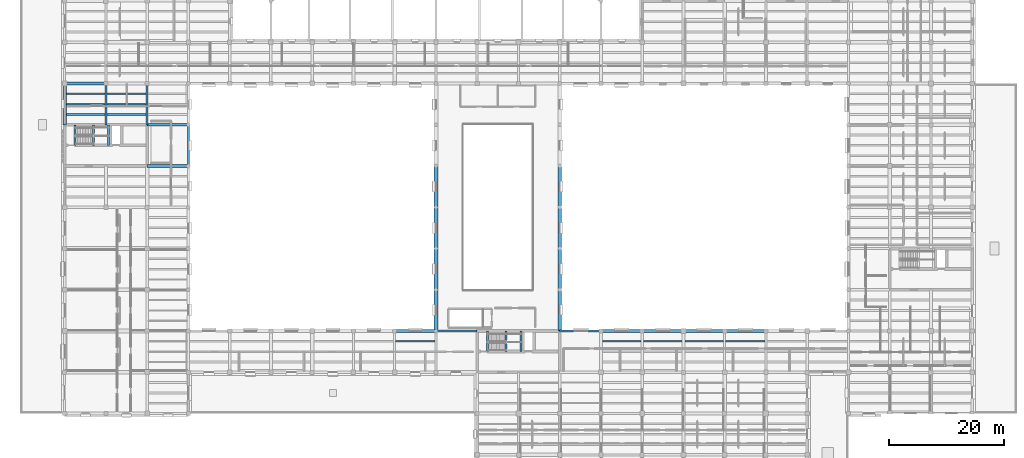
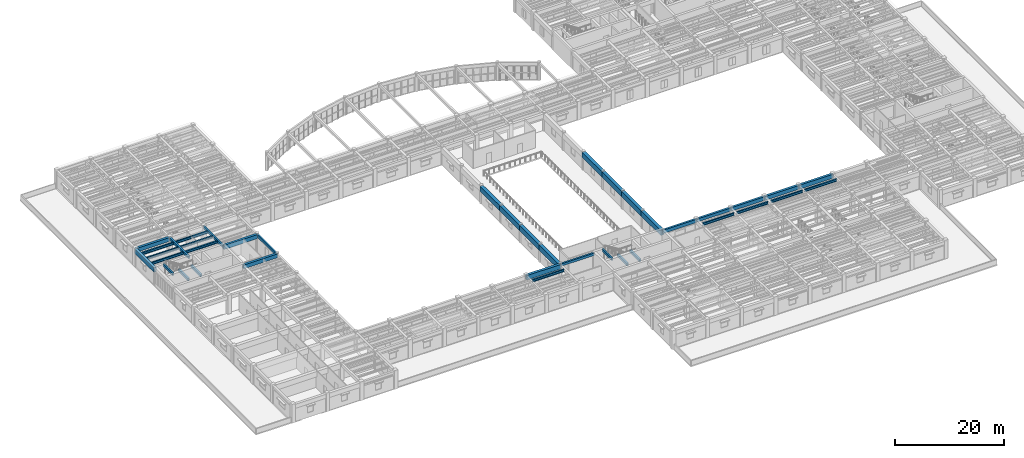
# One storey, part 12 of 76: 39 beams.
"""IFC4 building model written with IfcOpenShell, lengths in metres."""

import ifcopenshell
import ifcopenshell.guid

model = None  # the IFC model being written
_history = None  # IfcOwnerHistory: only IFC2X3 demands one
_inside = {}  # id of a spatial element -> (the spatial element, [elements in it])
_under = {}  # id of a project, library or spatial element -> (it, [spatial elements below it])
_declared = {}  # id of a project -> (the project, [libraries it declares])
_typed = {}  # id of a type object -> (the type object, [elements of that type])
_made_of = {}  # id of a material, layer set ... -> (it, [elements and type objects made of it])


def new_model(schema):
    """Start an empty IFC model of exactly this schema.

    Asked for "IFC4X3", IfcOpenShell would pick the latest addendum, in which some entities
    have other attributes; the version numbers below select the first issue.
    IFC2X3 requires an IfcOwnerHistory on every rooted entity: one is made here for all.
    """
    global model, _history
    if schema == "IFC4X3":
        model = ifcopenshell.file(schema_version=(4, 3, 0, 0))
    else:
        model = ifcopenshell.file(schema=schema)
    _inside.clear()
    _under.clear()
    _declared.clear()
    _typed.clear()
    _made_of.clear()
    _history = None
    if model.schema == "IFC2X3":
        org = make("IfcOrganization", Name="unknown")
        user = make(
            "IfcPersonAndOrganization",
            ThePerson=make("IfcPerson", FamilyName="unknown"),
            TheOrganization=org,
        )
        app = make(
            "IfcApplication",
            ApplicationDeveloper=org,
            Version="unknown",
            ApplicationFullName="unknown",
            ApplicationIdentifier="unknown",
        )
        _history = make(
            "IfcOwnerHistory",
            OwningUser=user,
            OwningApplication=app,
            ChangeAction="ADDED",
            CreationDate=0,
        )
    return model


def make(cls, **values):
    """One entity of the class cls with the attributes given. An attribute that is None is left unset."""
    return model.create_entity(
        cls, **{name: value for name, value in values.items() if value is not None}
    )


def rooted(cls, **values):
    """An entity with a GlobalId (a new one), such as an element, a storey or a relation."""
    return make(cls, GlobalId=ifcopenshell.guid.new(), OwnerHistory=_history, **values)


def si_unit(unit_type, name, prefix=None):
    """IfcSIUnit, for example si_unit("LENGTHUNIT", "METRE", prefix="MILLI")."""
    return make("IfcSIUnit", UnitType=unit_type, Prefix=prefix, Name=name)


def assignment(units):
    """IfcUnitAssignment: the units of a project."""
    return None if units is None else make("IfcUnitAssignment", Units=units)


def point(xyz):
    """IfcCartesianPoint."""
    return None if xyz is None else make("IfcCartesianPoint", Coordinates=xyz)


def direction(xyz):
    """IfcDirection."""
    return None if xyz is None else make("IfcDirection", DirectionRatios=xyz)


def frame(location, z_axis=None, x_axis=None):
    """IfcAxis2Placement3D, a coordinate frame: its origin and axes. An axis left out is left unset."""
    return make(
        "IfcAxis2Placement3D",
        Location=point(location),
        Axis=direction(z_axis),
        RefDirection=direction(x_axis),
    )


def frame_2d(location, x_axis=None):
    """IfcAxis2Placement2D, a coordinate frame in the plane: its origin and x axis."""
    return make(
        "IfcAxis2Placement2D", Location=point(location), RefDirection=direction(x_axis)
    )


def origin():
    """The frame at (0, 0, 0) with its axes left unset."""
    return frame((0.0, 0.0, 0.0))


def origin_2d():
    """The frame at (0, 0) in the plane with its x axis left unset."""
    return frame_2d((0.0, 0.0))


def place(relative_to, where):
    """IfcLocalPlacement: puts the frame where relative to a parent placement (None: the world)."""
    return make(
        "IfcLocalPlacement", PlacementRelTo=relative_to, RelativePlacement=where
    )


def context(
    kind, dimensions, precision=None, world=None, true_north=None, identifier=None
):
    """IfcGeometricRepresentationContext, for example the 3D "Model" context."""
    return make(
        "IfcGeometricRepresentationContext",
        ContextIdentifier=identifier,
        ContextType=kind,
        CoordinateSpaceDimension=dimensions,
        Precision=precision,
        WorldCoordinateSystem=world,
        TrueNorth=true_north,
    )


def subcontext(parent, identifier, kind, view, scale=None):
    """IfcGeometricRepresentationSubContext, for example "Body" below "Model"."""
    return make(
        "IfcGeometricRepresentationSubContext",
        ContextIdentifier=identifier,
        ContextType=kind,
        ParentContext=parent,
        TargetScale=scale,
        TargetView=view,
    )


def project(units=None, contexts=None):
    """IfcProject with its units and contexts."""
    return rooted(
        "IfcProject",
        Name="project",
        RepresentationContexts=contexts,
        UnitsInContext=assignment(units),
    )


def spatial(cls, under=None, at=None, **own):
    """A site, building, storey or space (cls), placed at a placement, below another one or the project."""
    s = rooted(cls, ObjectPlacement=at, **own)
    if under is not None:
        _under.setdefault(under.id(), (under, []))[1].append(s)
    return s


def profile(cls, at=None, kind="AREA", **sizes):
    """A parametric profile (cls). Its sizes go by their IFC names, for example OverallWidth=200.0."""
    return make(cls, ProfileType=kind, Position=at, **sizes)


def rectangle(**sizes):
    """IfcRectangleProfileDef."""
    return profile("IfcRectangleProfileDef", **sizes)


def i_section(**sizes):
    """IfcIShapeProfileDef."""
    return profile("IfcIShapeProfileDef", **sizes)


def extrude(swept, where, along, depth):
    """IfcExtrudedAreaSolid: the profile swept, set in the frame where, extruded along a direction by depth."""
    return make(
        "IfcExtrudedAreaSolid",
        SweptArea=swept,
        Position=where,
        ExtrudedDirection=direction(along),
        Depth=depth,
    )


def shape(context_of_items, identifier, shape_type, items):
    """IfcShapeRepresentation: the items that make up one representation, for example the "Body"."""
    return make(
        "IfcShapeRepresentation",
        ContextOfItems=context_of_items,
        RepresentationIdentifier=identifier,
        RepresentationType=shape_type,
        Items=items,
    )


def material(Name=None, Category=None):
    """IfcMaterial."""
    return make("IfcMaterial", Name=Name, Category=Category)


def material_profile(
    of_material, cross_section, Name=None, Category=None, Priority=None
):
    """IfcMaterialProfile: a cross section and its material."""
    return make(
        "IfcMaterialProfile",
        Name=Name,
        Material=of_material,
        Profile=cross_section,
        Priority=Priority,
        Category=Category,
    )


def profile_set(profiles, Name=None, composite=None):
    """IfcMaterialProfileSet."""
    return make(
        "IfcMaterialProfileSet",
        Name=Name,
        MaterialProfiles=profiles,
        CompositeProfile=composite,
    )


def made_of(thing, what):
    """Note that an element or type object is made of a material, layer set ...; save() writes the relation."""
    if what is not None:
        _made_of.setdefault(what.id(), (what, []))[1].append(thing)
    return thing


def type_object(cls, material=None, **own):
    """A type object (cls), such as IfcWallType, which elements share."""
    return made_of(rooted(cls, **own), material)


def element(
    cls,
    number,
    at=None,
    inside=None,
    cuts=None,
    type_object=None,
    material=None,
    context=None,
    identifier="Body",
    shape_type=None,
    held_by="IfcProductDefinitionShape",
    body=None,
    shapes=None,
    **own,
):
    """One element of the class cls, such as IfcWall. Its Tag is "e" and its number.

    at: its placement. inside: the storey or other place that contains it. cuts: it is an
    opening in that element (IfcRelVoidsElement). A single representation is given by context,
    identifier, shape_type and body (its items); several are given by shapes. held_by: the class
    of the entity that holds the representations. save() writes the other relations.
    """
    e = rooted(cls, Tag="e%d" % number, ObjectPlacement=at, **own)
    if body is not None:
        shapes = [shape(context, identifier, shape_type, body)]
    if shapes is not None:
        e.Representation = make(held_by, Representations=shapes)
    if inside is not None:
        _inside.setdefault(inside.id(), (inside, []))[1].append(e)
    if cuts is not None:
        rooted(
            "IfcRelVoidsElement", RelatingBuildingElement=cuts, RelatedOpeningElement=e
        )
    if type_object is not None:
        _typed.setdefault(type_object.id(), (type_object, []))[1].append(e)
    return made_of(e, material)


def aggregate(whole, parts):
    """IfcRelAggregates: a whole, such as a stair, and the parts it consists of."""
    return rooted("IfcRelAggregates", RelatingObject=whole, RelatedObjects=parts)


def save(model, path):
    """Write the relations noted so far, then the file.

    IfcRelAggregates (storeys below a building ...), IfcRelContainedInSpatialStructure (elements
    in a storey), IfcRelDefinesByType, IfcRelAssociatesMaterial and IfcRelDeclares: one each for
    every whole, place, type object, material and project.
    """
    for whole, parts in _under.values():
        aggregate(whole, parts)
    for where, things in _inside.values():
        rooted(
            "IfcRelContainedInSpatialStructure",
            RelatedElements=things,
            RelatingStructure=where,
        )
    for kind, things in _typed.values():
        rooted("IfcRelDefinesByType", RelatedObjects=things, RelatingType=kind)
    for what, things in _made_of.values():
        rooted("IfcRelAssociatesMaterial", RelatedObjects=things, RelatingMaterial=what)
    for by, libraries in _declared.values():
        rooted("IfcRelDeclares", RelatingContext=by, RelatedDefinitions=libraries)
    model.write(path)


model = new_model("IFC4")

# Units and contexts
model_context = context("Model", 3, precision=1e-05, world=origin(), true_north=direction((0.0, 1.0)))
body_context = subcontext(model_context, "Body", "Model", "MODEL_VIEW")
ifc_project = project(units=[si_unit("LENGTHUNIT", "METRE"), si_unit("AREAUNIT", "SQUARE_METRE"), si_unit("VOLUMEUNIT", "CUBIC_METRE"), si_unit("PLANEANGLEUNIT", "RADIAN"), si_unit("MASSUNIT", "GRAM", prefix="KILO")], contexts=[model_context])

# Site, building, storey
site_placement = place(None, origin())
site = spatial("IfcSite", under=ifc_project, at=site_placement, CompositionType="ELEMENT")
building_placement = place(site_placement, origin())
building = spatial("IfcBuilding", under=site, at=building_placement, Name="Mithqara Police Headquarters", CompositionType="ELEMENT")
storey_placement = place(building_placement, frame((0.0, 0.0, 5.39990234375)))
storey = spatial("IfcBuildingStorey", under=building, at=storey_placement, Name="L01", CompositionType="ELEMENT", Elevation=5.39990234375)

# Beams
ifc_material_1 = material(Name="Steel S355JR", Category="steel")
ifc_material_profile_1 = material_profile(ifc_material_1, i_section(OverallWidth=0.300048828125, OverallDepth=0.550048828125, WebThickness=0.014892578125, FlangeThickness=0.029052734375, FilletRadius=0.027099609375, at=origin_2d()), Name="HEB 550")
ifc_profile_set_1 = profile_set([ifc_material_profile_1], Name="Steel S355JR")
beam_type_1 = type_object("IfcBeamType", Name="BEAM HEB550", PredefinedType="BEAM", material=ifc_profile_set_1)
for number, where, z_axis, x_axis, name in (
    (1, (8.074951171875, 73.199951171875, 3.64501953125), (1.0, 0.0, 0.0), (0.0, 1.0, 0.0), "L01 Composite Steel Joist 2-3/L.1"),
    (2, (8.074951171875, 75.0, 3.64501953125), (1.0, 0.0, 0.0), (0.0, 1.0, 0.0), "L01 Composite Steel Joist 2-3/L.2"),
    (3, (8.074951171875, 76.800048828125, 3.64501953125), (1.0, 0.0, 0.0), (0.0, 1.0, 0.0), "L01 Composite Steel Joist 2-3/L.3"),
):
    element("IfcBeam", number, at=place(storey_placement, frame(where, z_axis=z_axis, x_axis=x_axis)), inside=storey, type_object=beam_type_1, Name=name, PredefinedType="BEAM", context=body_context, shape_type="SweptSolid", body=[
        extrude(i_section(OverallWidth=0.300048828125, OverallDepth=0.550048828125, WebThickness=0.014892578125, FlangeThickness=0.029052734375, FilletRadius=0.027099609375, at=origin_2d()), origin(), (0.0, 0.0, 1.0), 6.75),
    ])
for number, where, z_axis, x_axis, name in (
    (4, (15.175048828125, 73.199951171875, 3.64501953125), (1.0, 0.0, 0.0), (0.0, 1.0, 0.0), "L01 Composite Steel Joist 3-4/L.1"),
    (5, (15.175048828125, 75.0, 3.64501953125), (1.0, 0.0, 0.0), (0.0, 1.0, 0.0), "L01 Composite Steel Joist 3-4/L.2"),
    (6, (15.175048828125, 76.800048828125, 3.64501953125), (1.0, 0.0, 0.0), (0.0, 1.0, 0.0), "L01 Composite Steel Joist 3-4/L.3"),
):
    element("IfcBeam", number, at=place(storey_placement, frame(where, z_axis=z_axis, x_axis=x_axis)), inside=storey, type_object=beam_type_1, Name=name, PredefinedType="BEAM", context=body_context, shape_type="SweptSolid", body=[
        extrude(i_section(OverallWidth=0.300048828125, OverallDepth=0.550048828125, WebThickness=0.014892578125, FlangeThickness=0.029052734375, FilletRadius=0.027099609375, at=origin_2d()), origin(), (0.0, 0.0, 1.0), 6.849853515625),
    ])
beam_1_placement = place(storey_placement, frame((65.574951171875, 33.60009765625, 3.64501953125), z_axis=(1.0, 0.0, 0.0), x_axis=(0.0, 1.0, 0.0)))
element("IfcBeam", 7, at=beam_1_placement, inside=storey, type_object=beam_type_1, Name="L01 Composite Steel Joist 10-11/E.3", PredefinedType="BEAM", context=body_context, shape_type="SweptSolid", body=[
    extrude(i_section(OverallWidth=0.300048828125, OverallDepth=0.550048828125, WebThickness=0.014892578125, FlangeThickness=0.029052734375, FilletRadius=0.027099609375, at=origin_2d()), origin(), (0.0, 0.0, 1.0), 6.824951171875),
])
beam_2_placement = place(storey_placement, frame((101.64990234375, 33.60009765625, 3.64501953125), z_axis=(1.0, 0.0, 0.0), x_axis=(0.0, 1.0, 0.0)))
element("IfcBeam", 8, at=beam_2_placement, inside=storey, type_object=beam_type_1, Name="L01 Composite Steel Joist 15-16/E.3", PredefinedType="BEAM", context=body_context, shape_type="SweptSolid", body=[
    extrude(i_section(OverallWidth=0.300048828125, OverallDepth=0.550048828125, WebThickness=0.014892578125, FlangeThickness=0.029052734375, FilletRadius=0.027099609375, at=origin_2d()), origin(), (0.0, 0.0, 1.0), 6.7001953125),
])
beam_3_placement = place(storey_placement, frame((108.85009765625, 33.60009765625, 3.64501953125), z_axis=(1.0, 0.0, 0.0), x_axis=(0.0, 1.0, 0.0)))
element("IfcBeam", 9, at=beam_3_placement, inside=storey, type_object=beam_type_1, Name="L01 Composite Steel Joist 16-17/E.3", PredefinedType="BEAM", context=body_context, shape_type="SweptSolid", body=[
    extrude(i_section(OverallWidth=0.300048828125, OverallDepth=0.550048828125, WebThickness=0.014892578125, FlangeThickness=0.029052734375, FilletRadius=0.027099609375, at=origin_2d()), origin(), (0.0, 0.0, 1.0), 6.6748046875),
])
beam_4_placement = place(storey_placement, frame((116.074951171875, 33.60009765625, 3.64501953125), z_axis=(1.0, 0.0, 0.0), x_axis=(0.0, 1.0, 0.0)))
element("IfcBeam", 10, at=beam_4_placement, inside=storey, type_object=beam_type_1, Name="L01 Composite Steel Joist 17-18/E.3", PredefinedType="BEAM", context=body_context, shape_type="SweptSolid", body=[
    extrude(i_section(OverallWidth=0.300048828125, OverallDepth=0.550048828125, WebThickness=0.014892578125, FlangeThickness=0.029052734375, FilletRadius=0.027099609375, at=origin_2d()), origin(), (0.0, 0.0, 1.0), 6.75),
])
beam_5_placement = place(storey_placement, frame((123.175048828125, 33.60009765625, 3.64501953125), z_axis=(1.0, 0.0, 0.0), x_axis=(0.0, 1.0, 0.0)))
element("IfcBeam", 11, at=beam_5_placement, inside=storey, type_object=beam_type_1, Name="L01 Composite Steel Joist 18-19/E.3", PredefinedType="BEAM", context=body_context, shape_type="SweptSolid", body=[
    extrude(i_section(OverallWidth=0.300048828125, OverallDepth=0.550048828125, WebThickness=0.014892578125, FlangeThickness=0.029052734375, FilletRadius=0.027099609375, at=origin_2d()), origin(), (0.0, 0.0, 1.0), 6.849853515625),
])
ifc_material_2 = material(Name="Concrete C40/50", Category="concrete")
ifc_material_profile_2 = material_profile(ifc_material_2, rectangle(XDim=0.35009765625, YDim=0.550048828125, at=origin_2d()), Name="RC 350x550")
ifc_profile_set_2 = profile_set([ifc_material_profile_2], Name="Concrete C40/50")
beam_type_2 = type_object("IfcBeamType", Name="BEAM RC350X550", PredefinedType="BEAM", material=ifc_profile_set_2)
beam_6_placement = place(storey_placement, frame((15.0, 71.39990234375, 3.64501953125), z_axis=(0.0, 1.0, 0.0), x_axis=(-1.0, 0.0, 0.0)))
element("IfcBeam", 12, at=beam_6_placement, inside=storey, type_object=beam_type_2, Name="L01 Girder 3/L-M", PredefinedType="BEAM", context=body_context, shape_type="SweptSolid", body=[
    extrude(rectangle(XDim=0.35009765625, YDim=0.550048828125, at=origin_2d()), origin(), (0.0, 0.0, 1.0), 7.2001953125),
])
beam_7_placement = place(storey_placement, frame((72.60009765625, 35.39990234375, 3.64501953125), z_axis=(1.0, 0.0, 0.0), x_axis=(0.0, 1.0, 0.0)))
element("IfcBeam", 13, at=beam_7_placement, inside=storey, type_object=beam_type_2, Name="L01 Girder 11-12/F", PredefinedType="BEAM", context=body_context, shape_type="SweptSolid", body=[
    extrude(rectangle(XDim=0.35009765625, YDim=0.550048828125, at=origin_2d()), origin(), (0.0, 0.0, 1.0), 7.199951171875),
])
for number, where, z_axis, x_axis, name in (
    (14, (12.830078125, 67.820068359375, 1.635009765625), (0.0, 1.0, 0.0), (-1.0, 0.0, 0.0), "L01 ST-03 Half-Landing Bearer LF"),
    (15, (15.449951171875, 67.820068359375, 1.635009765625), (0.0, 1.0, 0.0), (-1.0, 0.0, 0.0), "L01 ST-03 Half-Landing Bearer LB"),
    (16, (9.576904296875, 67.820068359375, 3.925048828125), (0.0, 1.0, 0.0), (-1.0, 0.0, 0.0), "L01 ST-03 Stairwell Trimmer Beam"),
    (17, (84.830078125, 31.820068359375, 1.635009765625), (0.0, 1.0, 0.0), (-1.0, 0.0, 0.0), "L01 ST-07 Half-Landing Bearer LF"),
    (18, (87.449951171875, 31.820068359375, 1.635009765625), (0.0, 1.0, 0.0), (-1.0, 0.0, 0.0), "L01 ST-07 Half-Landing Bearer LB"),
    (19, (81.576904296875, 31.820068359375, 3.925048828125), (0.0, 1.0, 0.0), (-1.0, 0.0, 0.0), "L01 ST-07 Stairwell Trimmer Beam"),
):
    element("IfcBeam", number, at=place(storey_placement, frame(where, z_axis=z_axis, x_axis=x_axis)), inside=storey, type_object=beam_type_2, Name=name, PredefinedType="BEAM", context=body_context, shape_type="SweptSolid", body=[
        extrude(rectangle(XDim=0.35009765625, YDim=0.550048828125, at=origin_2d()), origin(), (0.0, 0.0, 1.0), 3.579833984375),
    ])
ifc_material_profile_3 = material_profile(ifc_material_2, rectangle(XDim=0.35009765625, YDim=0.60009765625, at=origin_2d()), Name="RC 350x600")
ifc_profile_set_3 = profile_set([ifc_material_profile_3], Name="Concrete C40/50")
beam_type_3 = type_object("IfcBeamType", Name="BEAM RC350X600", PredefinedType="BEAM", material=ifc_profile_set_3)
beam_8_placement = place(storey_placement, frame((22.199951171875, 71.39990234375, 3.6201171875), z_axis=(0.0, 1.0, 0.0), x_axis=(-1.0, 0.0, 0.0)))
element("IfcBeam", 20, at=beam_8_placement, inside=storey, type_object=beam_type_3, Name="L01 Girder 4/L-M", PredefinedType="BEAM", context=body_context, shape_type="SweptSolid", body=[
    extrude(rectangle(XDim=0.35009765625, YDim=0.60009765625, at=origin_2d()), origin(), (0.0, 0.0, 1.0), 7.2001953125),
])
beam_9_placement = place(storey_placement, frame((29.39990234375, 64.199951171875, 3.6201171875), z_axis=(0.0, 1.0, 0.0), x_axis=(-1.0, 0.0, 0.0)))
element("IfcBeam", 21, at=beam_9_placement, inside=storey, type_object=beam_type_3, Name="L01 Girder 5/K-L", PredefinedType="BEAM", context=body_context, shape_type="SweptSolid", body=[
    extrude(rectangle(XDim=0.35009765625, YDim=0.60009765625, at=origin_2d()), origin(), (0.0, 0.0, 1.0), 7.199951171875),
])
ifc_material_profile_4 = material_profile(ifc_material_2, rectangle(XDim=0.39990234375, YDim=0.75, at=origin_2d()), Name="RC 400x750")
ifc_profile_set_4 = profile_set([ifc_material_profile_4], Name="Concrete C40/50")
beam_type_4 = type_object("IfcBeamType", Name="BEAM RC400X750", PredefinedType="BEAM", material=ifc_profile_set_4)
beam_10_placement = place(storey_placement, frame((94.199951171875, 35.39990234375, 3.545166015625), z_axis=(1.0, 0.0, 0.0), x_axis=(0.0, 1.0, 0.0)))
element("IfcBeam", 22, at=beam_10_placement, inside=storey, type_object=beam_type_4, Name="L01 Girder 14-15/F", PredefinedType="BEAM", context=body_context, shape_type="SweptSolid", body=[
    extrude(rectangle(XDim=0.39990234375, YDim=0.75, at=origin_2d()), origin(), (0.0, 0.0, 1.0), 7.199951171875),
])
ifc_material_profile_5 = material_profile(ifc_material_2, rectangle(XDim=0.449951171875, YDim=0.699951171875, at=origin_2d()), Name="RC 450x700")
ifc_profile_set_5 = profile_set([ifc_material_profile_5], Name="Concrete C40/50")
beam_type_5 = type_object("IfcBeamType", Name="BEAM RC450X700", PredefinedType="BEAM", material=ifc_profile_set_5)
beam_11_placement = place(storey_placement, frame((101.39990234375, 35.39990234375, 3.570068359375), z_axis=(1.0, 0.0, 0.0), x_axis=(0.0, 1.0, 0.0)))
element("IfcBeam", 23, at=beam_11_placement, inside=storey, type_object=beam_type_5, Name="L01 Girder 15-16/F", PredefinedType="BEAM", context=body_context, shape_type="SweptSolid", body=[
    extrude(rectangle(XDim=0.449951171875, YDim=0.699951171875, at=origin_2d()), origin(), (0.0, 0.0, 1.0), 7.2001953125),
])
ifc_material_profile_6 = material_profile(ifc_material_2, rectangle(XDim=0.449951171875, YDim=0.800048828125, at=origin_2d()), Name="RC 450x800")
ifc_profile_set_6 = profile_set([ifc_material_profile_6], Name="Concrete C40/50")
beam_type_6 = type_object("IfcBeamType", Name="BEAM RC450X800", PredefinedType="BEAM", material=ifc_profile_set_6)
beam_12_placement = place(storey_placement, frame((108.60009765625, 35.39990234375, 3.52001953125), z_axis=(1.0, 0.0, 0.0), x_axis=(0.0, 1.0, 0.0)))
element("IfcBeam", 24, at=beam_12_placement, inside=storey, type_object=beam_type_6, Name="L01 Girder 16-17/F", PredefinedType="BEAM", context=body_context, shape_type="SweptSolid", body=[
    extrude(rectangle(XDim=0.449951171875, YDim=0.800048828125, at=origin_2d()), origin(), (0.0, 0.0, 1.0), 7.199951171875),
])
ifc_material_profile_7 = material_profile(ifc_material_2, rectangle(XDim=0.5, YDim=0.85009765625, at=origin_2d()), Name="RC 500x850")
ifc_profile_set_7 = profile_set([ifc_material_profile_7], Name="Concrete C40/50")
beam_type_7 = type_object("IfcBeamType", Name="BEAM RC500X850", PredefinedType="BEAM", material=ifc_profile_set_7)
for number, where, z_axis, x_axis, name in (
    (25, (7.800048828125, 78.60009765625, 3.4951171875), (1.0, 0.0, 0.0), (0.0, 1.0, 0.0), "L01 Girder 2-3/M"),
    (26, (22.199951171875, 64.199951171875, 3.4951171875), (1.0, 0.0, 0.0), (0.0, 1.0, 0.0), "L01 Girder 4-5/K"),
    (27, (115.800048828125, 35.39990234375, 3.4951171875), (1.0, 0.0, 0.0), (0.0, 1.0, 0.0), "L01 Girder 17-18/F"),
):
    element("IfcBeam", number, at=place(storey_placement, frame(where, z_axis=z_axis, x_axis=x_axis)), inside=storey, type_object=beam_type_7, Name=name, PredefinedType="BEAM", context=body_context, shape_type="SweptSolid", body=[
        extrude(rectangle(XDim=0.5, YDim=0.85009765625, at=origin_2d()), origin(), (0.0, 0.0, 1.0), 7.199951171875),
    ])
ifc_material_3 = material(Name="Concrete C50/60", Category="concrete")
ifc_material_profile_8 = material_profile(ifc_material_3, rectangle(XDim=0.5, YDim=0.89990234375, at=origin_2d()), Name="RC 500x900")
ifc_profile_set_8 = profile_set([ifc_material_profile_8], Name="Concrete C50/60")
beam_type_8 = type_object("IfcBeamType", Name="BEAM RC500X900", PredefinedType="BEAM", material=ifc_profile_set_8)
for number, where, z_axis, x_axis, name in (
    (28, (22.199951171875, 71.39990234375, 3.47021484375), (1.0, 0.0, 0.0), (0.0, 1.0, 0.0), "L01 Girder 4-5/L"),
    (29, (123.0, 35.39990234375, 3.47021484375), (1.0, 0.0, 0.0), (0.0, 1.0, 0.0), "L01 Girder 18-19/F"),
):
    element("IfcBeam", number, at=place(storey_placement, frame(where, z_axis=z_axis, x_axis=x_axis)), inside=storey, type_object=beam_type_8, Name=name, PredefinedType="BEAM", context=body_context, shape_type="SweptSolid", body=[
        extrude(rectangle(XDim=0.5, YDim=0.89990234375, at=origin_2d()), origin(), (0.0, 0.0, 1.0), 7.199951171875),
    ])
ifc_material_profile_9 = material_profile(ifc_material_3, rectangle(XDim=0.550048828125, YDim=1.0, at=origin_2d()), Name="RC 550x1000")
ifc_profile_set_9 = profile_set([ifc_material_profile_9], Name="Concrete C50/60")
beam_type_9 = type_object("IfcBeamType", Name="BEAM RC550X1000", PredefinedType="BEAM", material=ifc_profile_set_9)
for number, where, z_axis, x_axis, name in (
    (30, (7.800048828125, 71.39990234375, 3.420166015625), (0.0, 1.0, 0.0), (-1.0, 0.0, 0.0), "L01 Girder 2/L-M"),
    (31, (65.39990234375, 35.39990234375, 3.420166015625), (1.0, 0.0, 0.0), (0.0, 1.0, 0.0), "L01 Girder 10-11/F"),
):
    element("IfcBeam", number, at=place(storey_placement, frame(where, z_axis=z_axis, x_axis=x_axis)), inside=storey, type_object=beam_type_9, Name=name, PredefinedType="BEAM", context=body_context, shape_type="SweptSolid", body=[
        extrude(rectangle(XDim=0.550048828125, YDim=1.0, at=origin_2d()), origin(), (0.0, 0.0, 1.0), 7.2001953125),
    ])
ifc_material_profile_10 = material_profile(ifc_material_3, rectangle(XDim=0.64990234375, YDim=1.199951171875, at=origin_2d()), Name="RC 650x1200")
ifc_profile_set_10 = profile_set([ifc_material_profile_10], Name="Concrete C50/60")
beam_type_10 = type_object("IfcBeamType", Name="TRANSFER RC650X1200", PredefinedType="BEAM", material=ifc_profile_set_10)
beam_13_placement = place(storey_placement, frame((72.60009765625, 35.39990234375, 3.320068359375), z_axis=(0.0, 1.0, 0.0), x_axis=(-1.0, 0.0, 0.0)))
element("IfcBeam", 32, at=beam_13_placement, inside=storey, type_object=beam_type_10, Name="L01 Girder 11/F-G", PredefinedType="BEAM", context=body_context, shape_type="SweptSolid", body=[
    extrude(rectangle(XDim=0.64990234375, YDim=1.199951171875, at=origin_2d()), origin(), (0.0, 0.0, 1.0), 7.2001953125),
])
for number, where, z_axis, x_axis, name in (
    (33, (72.60009765625, 42.60009765625, 3.320068359375), (0.0, 1.0, 0.0), (-1.0, 0.0, 0.0), "L01 Girder 11/G-H"),
    (34, (72.60009765625, 49.800048828125, 3.320068359375), (0.0, 1.0, 0.0), (-1.0, 0.0, 0.0), "L01 Girder 11/H-J"),
    (35, (72.60009765625, 57.0, 3.320068359375), (0.0, 1.0, 0.0), (-1.0, 0.0, 0.0), "L01 Girder 11/J-K"),
):
    element("IfcBeam", number, at=place(storey_placement, frame(where, z_axis=z_axis, x_axis=x_axis)), inside=storey, type_object=beam_type_10, Name=name, PredefinedType="BEAM", context=body_context, shape_type="SweptSolid", body=[
        extrude(rectangle(XDim=0.64990234375, YDim=1.199951171875, at=origin_2d()), origin(), (0.0, 0.0, 1.0), 7.199951171875),
    ])
beam_14_placement = place(storey_placement, frame((94.199951171875, 35.39990234375, 3.320068359375), z_axis=(0.0, 1.0, 0.0), x_axis=(-1.0, 0.0, 0.0)))
element("IfcBeam", 36, at=beam_14_placement, inside=storey, type_object=beam_type_10, Name="L01 Girder 14/F-G", PredefinedType="BEAM", context=body_context, shape_type="SweptSolid", body=[
    extrude(rectangle(XDim=0.64990234375, YDim=1.199951171875, at=origin_2d()), origin(), (0.0, 0.0, 1.0), 7.2001953125),
])
for number, where, z_axis, x_axis, name in (
    (37, (94.199951171875, 42.60009765625, 3.320068359375), (0.0, 1.0, 0.0), (-1.0, 0.0, 0.0), "L01 Girder 14/G-H"),
    (38, (94.199951171875, 49.800048828125, 3.320068359375), (0.0, 1.0, 0.0), (-1.0, 0.0, 0.0), "L01 Girder 14/H-J"),
    (39, (94.199951171875, 57.0, 3.320068359375), (0.0, 1.0, 0.0), (-1.0, 0.0, 0.0), "L01 Girder 14/J-K"),
):
    element("IfcBeam", number, at=place(storey_placement, frame(where, z_axis=z_axis, x_axis=x_axis)), inside=storey, type_object=beam_type_10, Name=name, PredefinedType="BEAM", context=body_context, shape_type="SweptSolid", body=[
        extrude(rectangle(XDim=0.64990234375, YDim=1.199951171875, at=origin_2d()), origin(), (0.0, 0.0, 1.0), 7.199951171875),
    ])

save(model, "model.ifc")
